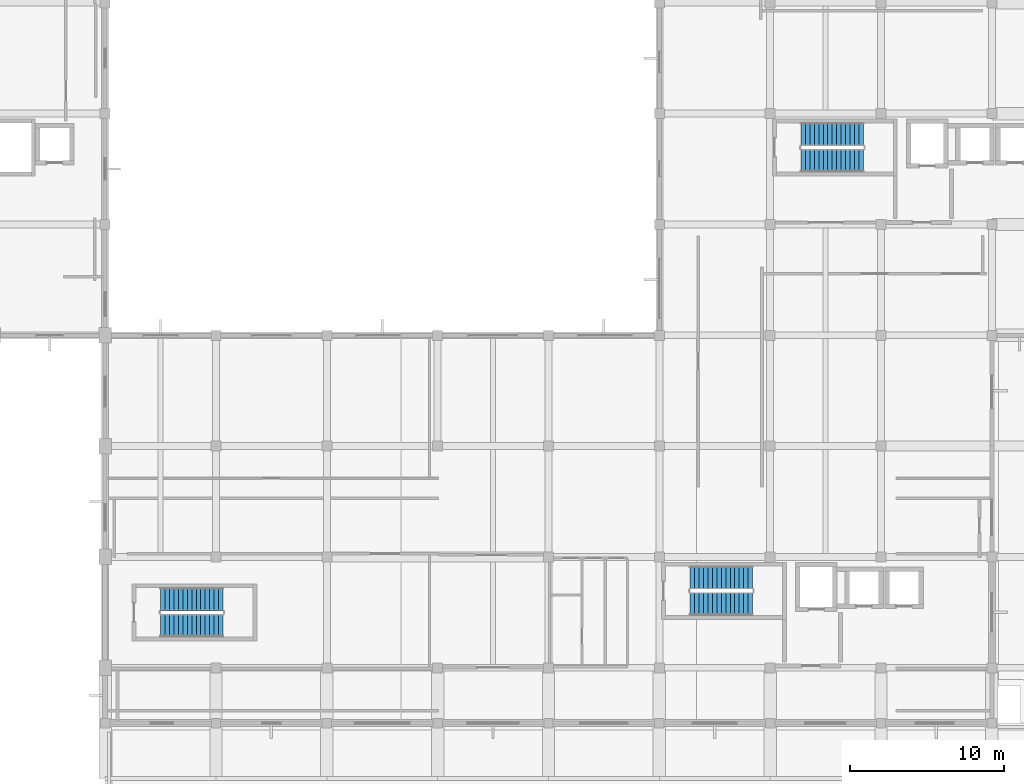
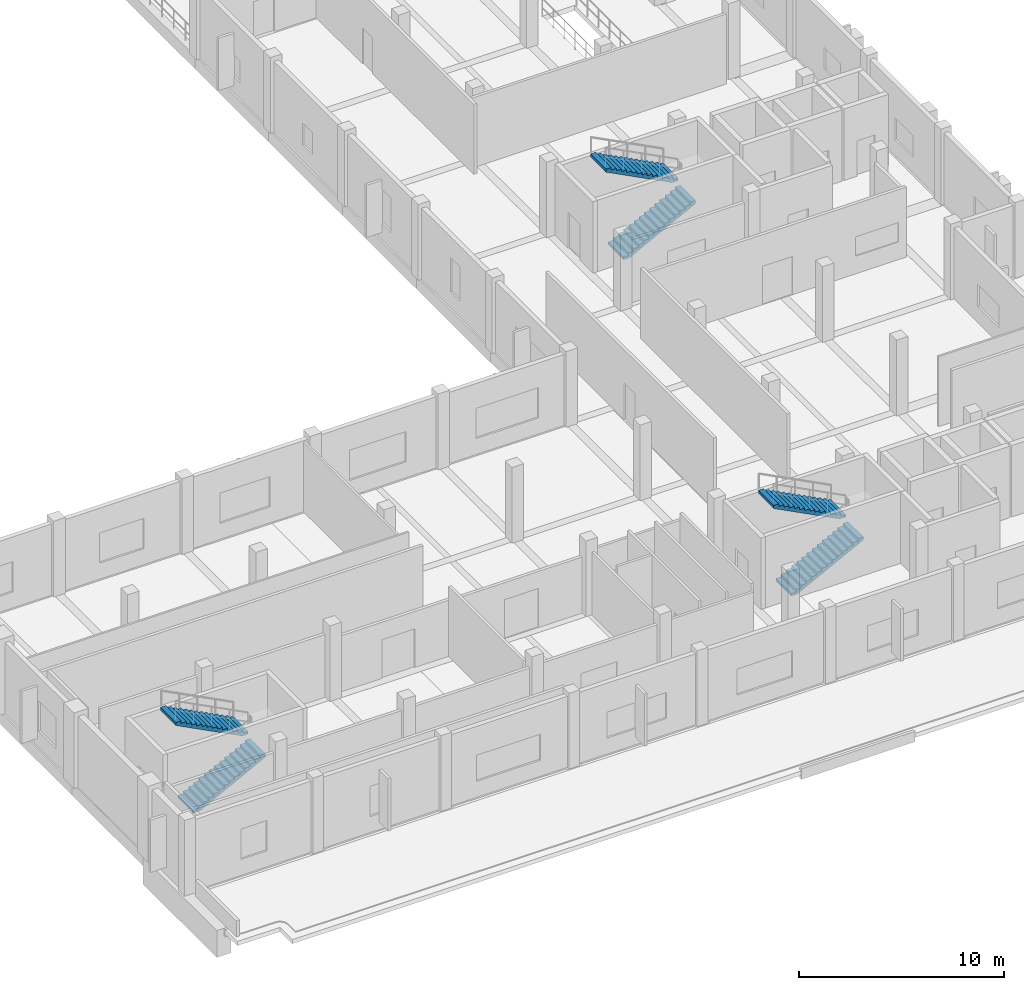
# One storey, part 10 of 16: 6 stair flights, 3 elements without a shape of their own.
"""IFC4 building model written with IfcOpenShell, lengths in metres."""

from ifc_helpers import new_model, si_unit, direction, frame, origin, place, context, subcontext, project, spatial, polyline, outline, extrude, material, type_object, element, aggregate, save


model = new_model("IFC4")

# Units and contexts
model_context = context("Model", 3, precision=1e-05, world=origin(), true_north=direction((0.0, 1.0)))
body_context = subcontext(model_context, "Body", "Model", "MODEL_VIEW")
ifc_project = project(units=[si_unit("LENGTHUNIT", "METRE"), si_unit("AREAUNIT", "SQUARE_METRE"), si_unit("VOLUMEUNIT", "CUBIC_METRE"), si_unit("PLANEANGLEUNIT", "RADIAN"), si_unit("MASSUNIT", "GRAM", prefix="KILO")], contexts=[model_context])

# Site, building, storey
site_placement = place(None, origin())
site = spatial("IfcSite", under=ifc_project, at=site_placement, CompositionType="ELEMENT")
building_placement = place(site_placement, origin())
building = spatial("IfcBuilding", under=site, at=building_placement, Name="Seraya Terrace Polytechnic", CompositionType="ELEMENT")
storey_placement = place(building_placement, frame((0.0, 0.0, 23.39990234375)))
storey = spatial("IfcBuildingStorey", under=building, at=storey_placement, Name="L05", CompositionType="ELEMENT", Elevation=23.39990234375)

# Stair, stair flights
ifc_material = material(Name="Concrete C40/50", Category="concrete")
stair_type = type_object("IfcStairType", Name="ST-T2", PredefinedType="HALF_TURN_STAIR", material=ifc_material)
stair_1_placement = place(storey_placement, origin())
stair_1 = element("IfcStair", 1, at=stair_1_placement, inside=storey, type_object=stair_type, Name="L05 Protected exit stair ST-01", PredefinedType="HALF_TURN_STAIR")
stair_flight_type = type_object("IfcStairFlightType", Name="SF-02", PredefinedType="STRAIGHT", material=ifc_material)
stair_flight_1_placement = place(storey_placement, frame((81.199951171875, 11.35009765625, 0.0), z_axis=(0.0, 0.0, 1.0), x_axis=(1.0, 0.0, 0.0)))
stair_flight_1 = element("IfcStairFlight", 2, at=stair_flight_1_placement, type_object=stair_flight_type, Name="ST-01 flight 1", NumberOfRisers=15, NumberOfTreads=14, PredefinedType="STRAIGHT", RiserHeight=0.15, TreadLength=0.29, context=body_context, shape_type="SweptSolid", body=[
    extrude(outline(polyline([(0.0, 0.0), (0.0, 0.14990234375), (0.2900390625, 0.14990234375), (0.2900390625, 0.300048828125), (0.580078125, 0.300048828125), (0.580078125, 0.449951171875), (0.8701171875, 0.449951171875), (0.8701171875, 0.60009765625), (1.159912109375, 0.60009765625), (1.159912109375, 0.75), (1.449951171875, 0.75), (1.449951171875, 0.89990234375), (1.739990234375, 0.89990234375), (1.739990234375, 1.050048828125), (2.030029296875, 1.050048828125), (2.030029296875, 1.199951171875), (2.320068359375, 1.199951171875), (2.320068359375, 1.35009765625), (2.610107421875, 1.35009765625), (2.610107421875, 1.5), (2.89990234375, 1.5), (2.89990234375, 1.64990234375), (3.18994140625, 1.64990234375), (3.18994140625, 1.800048828125), (3.47998046875, 1.800048828125), (3.47998046875, 1.949951171875), (3.77001953125, 1.949951171875), (3.77001953125, 2.10009765625), (4.06005859375, 2.10009765625), (4.06005859375, 2.25), (4.06005859375, 1.919921875), (0.34814453125, 0.0), (0.0, 0.0)])), frame((0.0, 0.75, 0.0), z_axis=(0.0, -1.0, 0.0), x_axis=(1.0, 0.0, 0.0)), (0.0, 0.0, 1.0), 1.5),
])
stair_flight_2_placement = place(storey_placement, frame((85.260009765625, 13.050048828125, 2.25), z_axis=(0.0, 0.0, 1.0), x_axis=(-1.0, 0.0, 0.0)))
stair_flight_2 = element("IfcStairFlight", 3, at=stair_flight_2_placement, type_object=stair_flight_type, Name="ST-01 flight 2", NumberOfRisers=15, NumberOfTreads=14, PredefinedType="STRAIGHT", RiserHeight=0.15, TreadLength=0.29, context=body_context, shape_type="SweptSolid", body=[
    extrude(outline(polyline([(0.0, 0.0), (0.0, 0.14990234375), (0.2900390625, 0.14990234375), (0.2900390625, 0.300048828125), (0.580078125, 0.300048828125), (0.580078125, 0.449951171875), (0.8701171875, 0.449951171875), (0.8701171875, 0.60009765625), (1.159912109375, 0.60009765625), (1.159912109375, 0.75), (1.449951171875, 0.75), (1.449951171875, 0.89990234375), (1.739990234375, 0.89990234375), (1.739990234375, 1.050048828125), (2.030029296875, 1.050048828125), (2.030029296875, 1.199951171875), (2.320068359375, 1.199951171875), (2.320068359375, 1.35009765625), (2.610107421875, 1.35009765625), (2.610107421875, 1.5), (2.89990234375, 1.5), (2.89990234375, 1.64990234375), (3.18994140625, 1.64990234375), (3.18994140625, 1.800048828125), (3.47998046875, 1.800048828125), (3.47998046875, 1.949951171875), (3.77001953125, 1.949951171875), (3.77001953125, 2.10009765625), (4.06005859375, 2.10009765625), (4.06005859375, 2.25), (4.06005859375, 1.919921875), (0.34814453125, 0.0), (0.0, 0.0)])), frame((0.0, 0.75, 0.0), z_axis=(0.0, -1.0, 0.0), x_axis=(1.0, 0.0, 0.0)), (0.0, 0.0, 1.0), 1.5),
])
aggregate(stair_1, [stair_flight_1, stair_flight_2])

stair_2_placement = place(storey_placement, origin())
stair_2 = element("IfcStair", 4, at=stair_2_placement, inside=storey, type_object=stair_type, Name="L05 Protected exit stair ST-02", PredefinedType="HALF_TURN_STAIR")
stair_flight_3_placement = place(storey_placement, frame((88.39990234375, 40.14990234375, 0.0), z_axis=(0.0, 0.0, 1.0), x_axis=(1.0, 0.0, 0.0)))
stair_flight_3 = element("IfcStairFlight", 5, at=stair_flight_3_placement, type_object=stair_flight_type, Name="ST-02 flight 1", NumberOfRisers=15, NumberOfTreads=14, PredefinedType="STRAIGHT", RiserHeight=0.15, TreadLength=0.29, context=body_context, shape_type="SweptSolid", body=[
    extrude(outline(polyline([(0.0, 0.0), (0.0, 0.14990234375), (0.2900390625, 0.14990234375), (0.2900390625, 0.300048828125), (0.580078125, 0.300048828125), (0.580078125, 0.449951171875), (0.8701171875, 0.449951171875), (0.8701171875, 0.60009765625), (1.159912109375, 0.60009765625), (1.159912109375, 0.75), (1.449951171875, 0.75), (1.449951171875, 0.89990234375), (1.739990234375, 0.89990234375), (1.739990234375, 1.050048828125), (2.030029296875, 1.050048828125), (2.030029296875, 1.199951171875), (2.320068359375, 1.199951171875), (2.320068359375, 1.35009765625), (2.610107421875, 1.35009765625), (2.610107421875, 1.5), (2.89990234375, 1.5), (2.89990234375, 1.64990234375), (3.18994140625, 1.64990234375), (3.18994140625, 1.800048828125), (3.47998046875, 1.800048828125), (3.47998046875, 1.949951171875), (3.77001953125, 1.949951171875), (3.77001953125, 2.10009765625), (4.06005859375, 2.10009765625), (4.06005859375, 2.25), (4.06005859375, 1.919921875), (0.34814453125, 0.0), (0.0, 0.0)])), frame((0.0, 0.75, 0.0), z_axis=(0.0, -1.0, 0.0), x_axis=(1.0, 0.0, 0.0)), (0.0, 0.0, 1.0), 1.5),
])
stair_flight_4_placement = place(storey_placement, frame((92.4599609375, 41.85009765625, 2.25), z_axis=(0.0, 0.0, 1.0), x_axis=(-1.0, 0.0, 0.0)))
stair_flight_4 = element("IfcStairFlight", 6, at=stair_flight_4_placement, type_object=stair_flight_type, Name="ST-02 flight 2", NumberOfRisers=15, NumberOfTreads=14, PredefinedType="STRAIGHT", RiserHeight=0.15, TreadLength=0.29, context=body_context, shape_type="SweptSolid", body=[
    extrude(outline(polyline([(0.0, 0.0), (0.0, 0.14990234375), (0.2900390625, 0.14990234375), (0.2900390625, 0.300048828125), (0.580078125, 0.300048828125), (0.580078125, 0.449951171875), (0.8701171875, 0.449951171875), (0.8701171875, 0.60009765625), (1.159912109375, 0.60009765625), (1.159912109375, 0.75), (1.449951171875, 0.75), (1.449951171875, 0.89990234375), (1.739990234375, 0.89990234375), (1.739990234375, 1.050048828125), (2.030029296875, 1.050048828125), (2.030029296875, 1.199951171875), (2.320068359375, 1.199951171875), (2.320068359375, 1.35009765625), (2.610107421875, 1.35009765625), (2.610107421875, 1.5), (2.89990234375, 1.5), (2.89990234375, 1.64990234375), (3.18994140625, 1.64990234375), (3.18994140625, 1.800048828125), (3.47998046875, 1.800048828125), (3.47998046875, 1.949951171875), (3.77001953125, 1.949951171875), (3.77001953125, 2.10009765625), (4.06005859375, 2.10009765625), (4.06005859375, 2.25), (4.06005859375, 1.919921875), (0.34814453125, 0.0), (0.0, 0.0)])), frame((0.0, 0.75, 0.0), z_axis=(0.0, -1.0, 0.0), x_axis=(1.0, 0.0, 0.0)), (0.0, 0.0, 1.0), 1.5),
])
aggregate(stair_2, [stair_flight_3, stair_flight_4])

stair_3_placement = place(storey_placement, origin())
stair_3 = element("IfcStair", 7, at=stair_3_placement, inside=storey, type_object=stair_type, Name="L05 Protected exit stair ST-03", PredefinedType="HALF_TURN_STAIR")
stair_flight_5_placement = place(storey_placement, frame((46.800048828125, 9.949951171875, 0.0), z_axis=(0.0, 0.0, 1.0), x_axis=(1.0, 0.0, 0.0)))
stair_flight_5 = element("IfcStairFlight", 8, at=stair_flight_5_placement, type_object=stair_flight_type, Name="ST-03 flight 1", NumberOfRisers=15, NumberOfTreads=14, PredefinedType="STRAIGHT", RiserHeight=0.15, TreadLength=0.29, context=body_context, shape_type="SweptSolid", body=[
    extrude(outline(polyline([(0.0, 0.0), (0.0, 0.14990234375), (0.2900390625, 0.14990234375), (0.2900390625, 0.300048828125), (0.580078125, 0.300048828125), (0.580078125, 0.449951171875), (0.8701171875, 0.449951171875), (0.8701171875, 0.60009765625), (1.159912109375, 0.60009765625), (1.159912109375, 0.75), (1.449951171875, 0.75), (1.449951171875, 0.89990234375), (1.739990234375, 0.89990234375), (1.739990234375, 1.050048828125), (2.030029296875, 1.050048828125), (2.030029296875, 1.199951171875), (2.320068359375, 1.199951171875), (2.320068359375, 1.35009765625), (2.610107421875, 1.35009765625), (2.610107421875, 1.5), (2.89990234375, 1.5), (2.89990234375, 1.64990234375), (3.18994140625, 1.64990234375), (3.18994140625, 1.800048828125), (3.47998046875, 1.800048828125), (3.47998046875, 1.949951171875), (3.77001953125, 1.949951171875), (3.77001953125, 2.10009765625), (4.06005859375, 2.10009765625), (4.06005859375, 2.25), (4.06005859375, 1.919921875), (0.34814453125, 0.0), (0.0, 0.0)])), frame((0.0, 0.75, 0.0), z_axis=(0.0, -1.0, 0.0), x_axis=(1.0, 0.0, 0.0)), (0.0, 0.0, 1.0), 1.5),
])
stair_flight_6_placement = place(storey_placement, frame((50.860107421875, 11.64990234375, 2.25), z_axis=(0.0, 0.0, 1.0), x_axis=(-1.0, 0.0, 0.0)))
stair_flight_6 = element("IfcStairFlight", 9, at=stair_flight_6_placement, type_object=stair_flight_type, Name="ST-03 flight 2", NumberOfRisers=15, NumberOfTreads=14, PredefinedType="STRAIGHT", RiserHeight=0.15, TreadLength=0.29, context=body_context, shape_type="SweptSolid", body=[
    extrude(outline(polyline([(0.0, 0.0), (0.0, 0.14990234375), (0.2900390625, 0.14990234375), (0.2900390625, 0.300048828125), (0.580078125, 0.300048828125), (0.580078125, 0.449951171875), (0.8701171875, 0.449951171875), (0.8701171875, 0.60009765625), (1.159912109375, 0.60009765625), (1.159912109375, 0.75), (1.449951171875, 0.75), (1.449951171875, 0.89990234375), (1.739990234375, 0.89990234375), (1.739990234375, 1.050048828125), (2.030029296875, 1.050048828125), (2.030029296875, 1.199951171875), (2.320068359375, 1.199951171875), (2.320068359375, 1.35009765625), (2.610107421875, 1.35009765625), (2.610107421875, 1.5), (2.89990234375, 1.5), (2.89990234375, 1.64990234375), (3.18994140625, 1.64990234375), (3.18994140625, 1.800048828125), (3.47998046875, 1.800048828125), (3.47998046875, 1.949951171875), (3.77001953125, 1.949951171875), (3.77001953125, 2.10009765625), (4.06005859375, 2.10009765625), (4.06005859375, 2.25), (4.06005859375, 1.919921875), (0.34814453125, 0.0), (0.0, 0.0)])), frame((0.0, 0.75, 0.0), z_axis=(0.0, -1.0, 0.0), x_axis=(1.0, 0.0, 0.0)), (0.0, 0.0, 1.0), 1.5),
])
aggregate(stair_3, [stair_flight_5, stair_flight_6])

save(model, "model.ifc")
